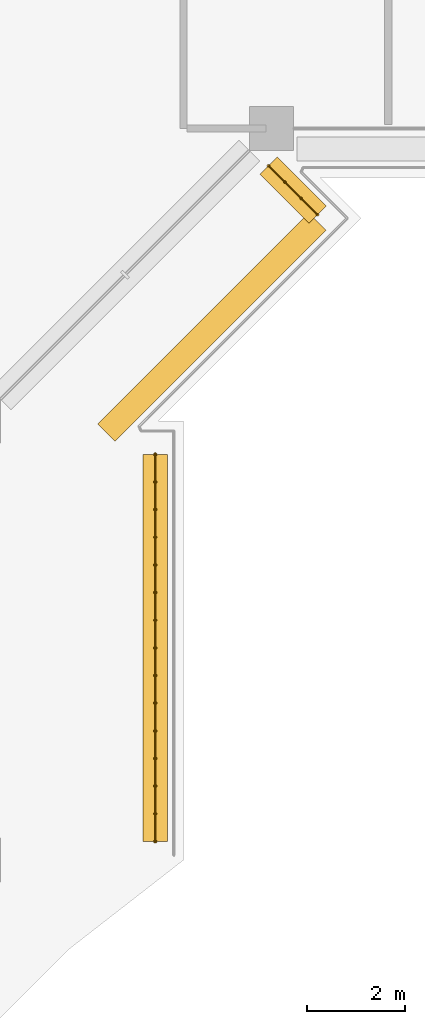
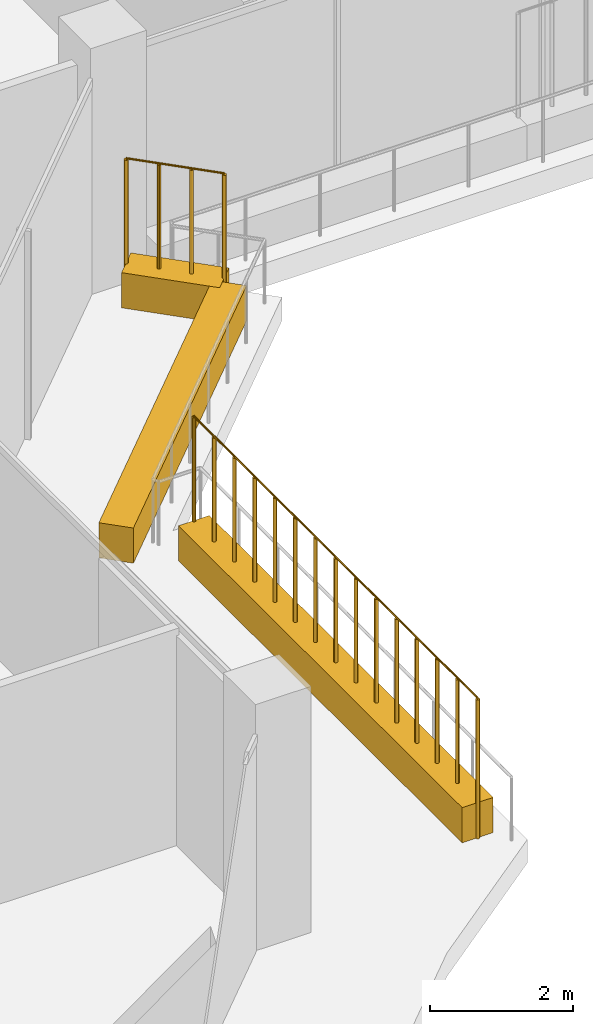
# One storey, part 18 of 23: 3 coverings, 2 railings.
"""IFC4 building model written with IfcOpenShell, lengths in metres."""

from ifc_helpers import new_model, si_unit, direction, frame, origin, origin_2d, place, context, subcontext, project, spatial, rectangle, circle, extrude, material, material_profile, profile_set, type_object, element, save


model = new_model("IFC4")

# Units and contexts
model_context = context("Model", 3, precision=1e-05, world=origin(), true_north=direction((0.0, 1.0)))
body_context = subcontext(model_context, "Body", "Model", "MODEL_VIEW")
ifc_project = project(units=[si_unit("LENGTHUNIT", "METRE"), si_unit("AREAUNIT", "SQUARE_METRE"), si_unit("VOLUMEUNIT", "CUBIC_METRE"), si_unit("PLANEANGLEUNIT", "RADIAN"), si_unit("MASSUNIT", "GRAM", prefix="KILO")], contexts=[model_context])

# Site, building, storey
site_placement = place(None, origin())
site = spatial("IfcSite", under=ifc_project, at=site_placement, CompositionType="ELEMENT")
building_placement = place(site_placement, origin())
building = spatial("IfcBuilding", under=site, at=building_placement, Name="Kawkab Arch Medical Tower", CompositionType="ELEMENT")
storey_placement = place(building_placement, frame((0.0, 0.0, 268.39990234375)))
storey = spatial("IfcBuildingStorey", under=building, at=storey_placement, Name="L62", CompositionType="ELEMENT", Elevation=268.39990234375)

# Coverings
ifc_material_1 = material(Name="Planting soil in a precast trough", Category="concrete")
ifc_material_profile = material_profile(ifc_material_1, rectangle(XDim=0.5, YDim=0.60009765625, at=origin_2d()), Name="Trough 500x600")
ifc_profile_set = profile_set([ifc_material_profile], Name="Planting soil in a precast trough")
covering_type = type_object("IfcCoveringType", Name="Planter trough 500 x 600", PredefinedType="USERDEFINED", material=ifc_profile_set)
covering_1_placement = place(storey_placement, frame((31.14306640625, -25.962890625, 0.300048828125), z_axis=(0.707020805532, -0.707192746389, 0.0), x_axis=(0.707192746389, 0.707020805532, 0.0)))
element("IfcCovering", 1, at=covering_1_placement, inside=storey, type_object=covering_type, Name="Planter L62.LOG-01-01.37", ObjectType="PLANTER", PredefinedType="USERDEFINED", context=body_context, shape_type="SweptSolid", body=[
    extrude(rectangle(XDim=0.5, YDim=0.60009765625, at=origin_2d()), origin(), (0.0, 0.0, 1.0), 1.419921875),
])
covering_2_placement = place(storey_placement, frame((32.14697265625, -27.10888671875, 0.300048828125), z_axis=(-0.707007043994, -0.707206504313, 0.0), x_axis=(0.707206504313, -0.707007043994, 0.0)))
element("IfcCovering", 2, at=covering_2_placement, inside=storey, type_object=covering_type, Name="Planter L62.LOG-01-01.38", ObjectType="PLANTER", PredefinedType="USERDEFINED", context=body_context, shape_type="SweptSolid", body=[
    extrude(rectangle(XDim=0.5, YDim=0.60009765625, at=origin_2d()), origin(), (0.0, 0.0, 1.0), 6.1201171875),
])
covering_3_placement = place(storey_placement, frame((28.820068359375, -31.8798828125, 0.300048828125), z_axis=(0.0, -1.0, 0.0), x_axis=(1.0, 0.0, 0.0)))
element("IfcCovering", 3, at=covering_3_placement, inside=storey, type_object=covering_type, Name="Planter L62.LOG-01-01.39", ObjectType="PLANTER", PredefinedType="USERDEFINED", context=body_context, shape_type="SweptSolid", body=[
    extrude(rectangle(XDim=0.5, YDim=0.60009765625, at=origin_2d()), origin(), (0.0, 0.0, 1.0), 7.93603515625),
])

# Railings
ifc_material_2 = material(Name="Bronze anodised aluminium trellis for climbing plants", Category="aluminium")
railing_type = type_object("IfcRailingType", Name="Planting trellis 2400", PredefinedType="USERDEFINED", material=ifc_material_2)
railing_1_placement = place(storey_placement, frame((31.14306640625, -25.962890625, 0.0)))
element("IfcRailing", 4, at=railing_1_placement, inside=storey, type_object=railing_type, Name="Planting trellis L62.LOG-01-01.37", ObjectType="TRELLIS", PredefinedType="USERDEFINED", context=body_context, shape_type="SweptSolid", body=[
    extrude(circle(Radius=0.01513671875, at=origin_2d()), frame((0.0, 0.0, 2.384765625), z_axis=(0.707020805532, -0.707192746389, 0.0), x_axis=(0.707192746389, 0.707020805532, 0.0)), (0.0, 0.0, 1.0), 1.419921875),
    extrude(circle(Radius=0.030029296875, at=origin_2d()), origin(), (0.0, 0.0, 1.0), 2.369873046875),
    extrude(circle(Radius=0.030029296875, at=origin_2d()), frame((0.334716796875, -0.334716796875, 0.0)), (0.0, 0.0, 1.0), 2.369873046875),
    extrude(circle(Radius=0.030029296875, at=origin_2d()), frame((0.669189453125, -0.66943359375, 0.0)), (0.0, 0.0, 1.0), 2.369873046875),
    extrude(circle(Radius=0.030029296875, at=origin_2d()), frame((1.00390625, -1.004150390625, 0.0)), (0.0, 0.0, 1.0), 2.369873046875),
])
railing_2_placement = place(storey_placement, frame((28.820068359375, -31.8798828125, 0.0)))
element("IfcRailing", 5, at=railing_2_placement, inside=storey, type_object=railing_type, Name="Planting trellis L62.LOG-01-01.39", ObjectType="TRELLIS", PredefinedType="USERDEFINED", context=body_context, shape_type="SweptSolid", body=[
    extrude(circle(Radius=0.01513671875, at=origin_2d()), frame((0.0, 0.0, 2.384765625), z_axis=(0.0, -1.0, 0.0), x_axis=(1.0, 0.0, 0.0)), (0.0, 0.0, 1.0), 7.93603515625),
    extrude(circle(Radius=0.030029296875, at=origin_2d()), origin(), (0.0, 0.0, 1.0), 2.369873046875),
    extrude(circle(Radius=0.030029296875, at=origin_2d()), frame((0.0, -0.56689453125, 0.0)), (0.0, 0.0, 1.0), 2.369873046875),
    extrude(circle(Radius=0.030029296875, at=origin_2d()), frame((0.0, -1.1337890625, 0.0)), (0.0, 0.0, 1.0), 2.369873046875),
    extrude(circle(Radius=0.030029296875, at=origin_2d()), frame((0.0, -1.70068359375, 0.0)), (0.0, 0.0, 1.0), 2.369873046875),
    extrude(circle(Radius=0.030029296875, at=origin_2d()), frame((0.0, -2.267333984375, 0.0)), (0.0, 0.0, 1.0), 2.369873046875),
    extrude(circle(Radius=0.030029296875, at=origin_2d()), frame((0.0, -2.834228515625, 0.0)), (0.0, 0.0, 1.0), 2.369873046875),
    extrude(circle(Radius=0.030029296875, at=origin_2d()), frame((0.0, -3.401123046875, 0.0)), (0.0, 0.0, 1.0), 2.369873046875),
    extrude(circle(Radius=0.030029296875, at=origin_2d()), frame((0.0, -3.968017578125, 0.0)), (0.0, 0.0, 1.0), 2.369873046875),
    extrude(circle(Radius=0.030029296875, at=origin_2d()), frame((0.0, -4.534912109375, 0.0)), (0.0, 0.0, 1.0), 2.369873046875),
    extrude(circle(Radius=0.030029296875, at=origin_2d()), frame((0.0, -5.101806640625, 0.0)), (0.0, 0.0, 1.0), 2.369873046875),
    extrude(circle(Radius=0.030029296875, at=origin_2d()), frame((0.0, -5.668701171875, 0.0)), (0.0, 0.0, 1.0), 2.369873046875),
    extrude(circle(Radius=0.030029296875, at=origin_2d()), frame((0.0, -6.2353515625, 0.0)), (0.0, 0.0, 1.0), 2.369873046875),
    extrude(circle(Radius=0.030029296875, at=origin_2d()), frame((0.0, -6.80224609375, 0.0)), (0.0, 0.0, 1.0), 2.369873046875),
    extrude(circle(Radius=0.030029296875, at=origin_2d()), frame((0.0, -7.369140625, 0.0)), (0.0, 0.0, 1.0), 2.369873046875),
    extrude(circle(Radius=0.030029296875, at=origin_2d()), frame((0.0, -7.93603515625, 0.0)), (0.0, 0.0, 1.0), 2.369873046875),
])

save(model, "model.ifc")
